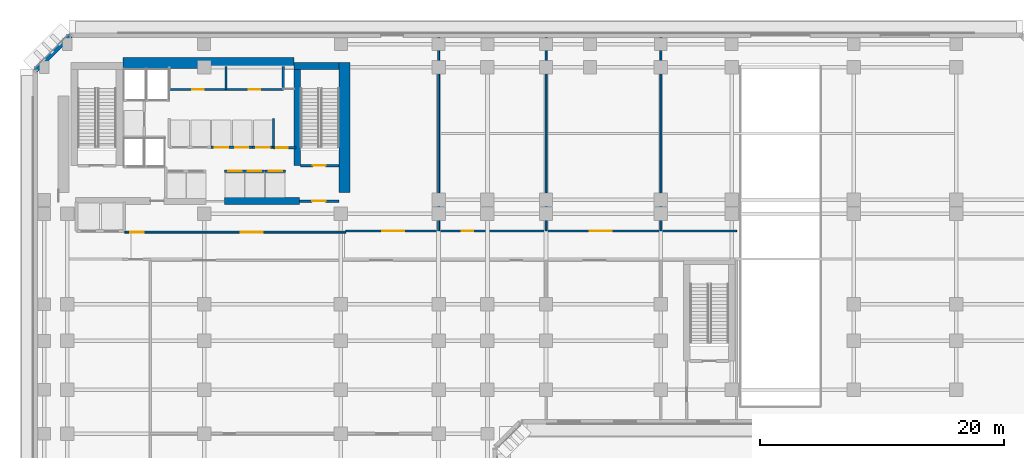
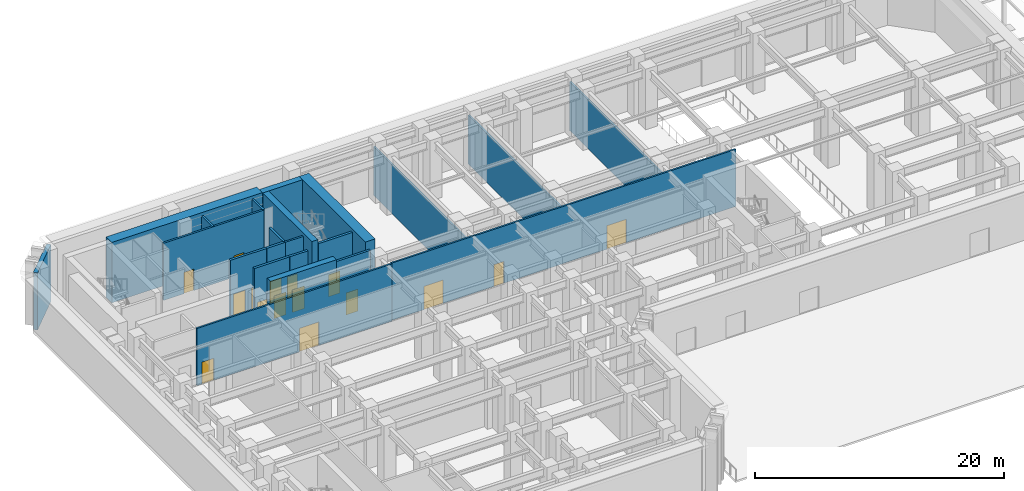
# One storey, part 9 of 18: 22 walls, 16 doors, 16 openings.
"""IFC4 building model written with IfcOpenShell, lengths in metres."""

from ifc_helpers import new_model, si_unit, direction, frame, frame_2d, origin, place, context, subcontext, project, spatial, rectangle, extrude, material, layer, layer_set, type_object, element, fill, save


model = new_model("IFC4")

# Units and contexts
model_context = context("Model", 3, precision=1e-05, world=origin(), true_north=direction((0.0, 1.0)))
body_context = subcontext(model_context, "Body", "Model", "MODEL_VIEW")
ifc_project = project(units=[si_unit("LENGTHUNIT", "METRE"), si_unit("AREAUNIT", "SQUARE_METRE"), si_unit("VOLUMEUNIT", "CUBIC_METRE"), si_unit("PLANEANGLEUNIT", "RADIAN"), si_unit("MASSUNIT", "GRAM", prefix="KILO")], contexts=[model_context])

# Site, building, storey
site_placement = place(None, origin())
site = spatial("IfcSite", under=ifc_project, at=site_placement, CompositionType="ELEMENT")
building_placement = place(site_placement, origin())
building = spatial("IfcBuilding", under=site, at=building_placement, Name="Kefirva Bronze Tower", CompositionType="ELEMENT")
storey_placement = place(building_placement, origin())
storey = spatial("IfcBuildingStorey", under=building, at=storey_placement, Name="L00", CompositionType="ELEMENT", Elevation=0.0)

# Wall, opening, door
ifc_material_1 = material(Name="Gypsum fireboard shaftwall")
ifc_layer_1 = layer(ifc_material_1, 0.219970703125, Name="Gypsum fireboard shaftwall")
ifc_layer_set_1 = layer_set([ifc_layer_1], Name="Gypsum fireboard shaftwall")
wall_type_1 = type_object("IfcWallType", Name="Fire-Rated Shaft Enclosure Wall 220mm", PredefinedType="PARTITIONING", material=ifc_layer_set_1)
wall_1_placement = place(storey_placement, frame((19.89990234375, 37.14990234375, 0.0), z_axis=(0.0, 0.0, 1.0), x_axis=(1.0, 0.0, 0.0)))
wall_1 = element("IfcWall", 1, at=wall_1_placement, inside=storey, type_object=wall_type_1, Name="L00 Partition W-L00-ST2S", PredefinedType="PARTITIONING", context=body_context, shape_type="SweptSolid", body=[
    extrude(rectangle(XDim=3.150146484375, YDim=0.219970703125, at=frame_2d((1.5751953125, 0.0))), origin(), (0.0, 0.0, 1.0), 5.6201171875),
])
opening_1_placement = place(wall_1_placement, frame((2.050048828125, 0.0, 0.0), z_axis=(0.0, 0.0, 1.0), x_axis=(-1.0, 0.0, 0.0)))
opening_1 = element("IfcOpeningElement", 2, at=opening_1_placement, cuts=wall_1, Name="Opening L00-D003", PredefinedType="OPENING", context=body_context, shape_type="SweptSolid", body=[
    extrude(rectangle(XDim=1.050048828125, YDim=2.14990234375, at=frame_2d((0.52490234375, 1.074951171875))), frame((0.0, 0.1201171875, 0.0), z_axis=(0.0, -1.0, 0.0), x_axis=(1.0, 0.0, 0.0)), (0.0, 0.0, 1.0), 0.239990234375),
])
ifc_material_2 = material(Name="Painted galvanized steel", Category="steel")
door_type_1 = type_object("IfcDoorType", Name="Fire Stair Enclosure Door 1050x2150 FD90S", OperationType="NOTDEFINED", PredefinedType="DOOR", material=ifc_material_2)
door_1_placement = place(opening_1_placement, origin())
door_1 = element("IfcDoor", 3, at=door_1_placement, inside=storey, type_object=door_type_1, Name="Door L00-D003", OperationType="SINGLE_SWING_RIGHT", OverallHeight=2.14990234375, OverallWidth=1.050048828125, PredefinedType="DOOR", context=body_context, shape_type="SweptSolid", body=[
    extrude(rectangle(XDim=1.050048828125, YDim=2.14990234375, at=frame_2d((0.52490234375, 1.074951171875))), frame((0.0, 0.02490234375, 0.0), z_axis=(0.0, -1.0, 0.0), x_axis=(1.0, 0.0, 0.0)), (0.0, 0.0, 1.0), 0.050048828125),
])
fill(opening_1, door_1)

# Wall
wall_2_placement = place(storey_placement, frame((17.679931640625, 38.64990234375, 0.0), z_axis=(0.0, 0.0, 1.0), x_axis=(0.0, 1.0, 0.0)))
element("IfcWall", 4, at=wall_2_placement, inside=storey, type_object=wall_type_1, Name="L00 Partition W-L00-HP2E", PredefinedType="PARTITIONING", context=body_context, shape_type="SweptSolid", body=[
    extrude(rectangle(XDim=2.35009765625, YDim=0.199951171875, at=frame_2d((1.175048828125, 0.0))), origin(), (0.0, 0.0, 1.0), 5.6201171875),
])

# Wall, openings, doors
wall_3_placement = place(storey_placement, frame((13.679931640625, 36.699951171875, 0.0), z_axis=(0.0, 0.0, 1.0), x_axis=(1.0, 0.0, 0.0)))
wall_3 = element("IfcWall", 5, at=wall_3_placement, inside=storey, type_object=wall_type_1, Name="L00 Partition W-L00-MPS", PredefinedType="PARTITIONING", context=body_context, shape_type="SweptSolid", body=[
    extrude(rectangle(XDim=3.280029296875, YDim=0.219970703125, at=frame_2d((1.64013671875, 0.0))), origin(), (0.0, 0.0, 1.0), 5.6201171875),
])
opening_2_placement = place(wall_3_placement, frame((0.280029296875, 0.0, 0.0)))
opening_2 = element("IfcOpeningElement", 6, at=opening_2_placement, cuts=wall_3, Name="Opening L00-LD-MP1", PredefinedType="OPENING", context=body_context, shape_type="SweptSolid", body=[
    extrude(rectangle(XDim=1.10009765625, YDim=2.199951171875, at=frame_2d((0.550048828125, 1.10009765625))), frame((0.0, 0.1201171875, 0.0), z_axis=(0.0, -1.0, 0.0), x_axis=(1.0, 0.0, 0.0)), (0.0, 0.0, 1.0), 0.239990234375),
])
opening_3_placement = place(wall_3_placement, frame((1.89990234375, 0.0, 0.0)))
opening_3 = element("IfcOpeningElement", 7, at=opening_3_placement, cuts=wall_3, Name="Opening L00-LD-MP2", PredefinedType="OPENING", context=body_context, shape_type="SweptSolid", body=[
    extrude(rectangle(XDim=1.10009765625, YDim=2.199951171875, at=frame_2d((0.550048828125, 1.10009765625))), frame((0.0, 0.1201171875, 0.0), z_axis=(0.0, -1.0, 0.0), x_axis=(1.0, 0.0, 0.0)), (0.0, 0.0, 1.0), 0.239990234375),
])
ifc_material_3 = material(Name="Stainless steel 316", Category="steel")
door_type_2 = type_object("IfcDoorType", Name="Passenger Lift Sliding Landing Door 1100x2200", OperationType="SLIDING_TO_LEFT", PredefinedType="DOOR", material=ifc_material_3)
door_2_placement = place(opening_2_placement, origin())
door_2 = element("IfcDoor", 8, at=door_2_placement, inside=storey, type_object=door_type_2, Name="Door L00-LD-MP1", OperationType="SLIDING_TO_RIGHT", OverallHeight=2.199951171875, OverallWidth=1.10009765625, PredefinedType="DOOR", context=body_context, shape_type="SweptSolid", body=[
    extrude(rectangle(XDim=1.10009765625, YDim=2.199951171875, at=frame_2d((0.550048828125, 1.10009765625))), frame((0.0, 0.02490234375, 0.0), z_axis=(0.0, -1.0, 0.0), x_axis=(1.0, 0.0, 0.0)), (0.0, 0.0, 1.0), 0.050048828125),
])
fill(opening_2, door_2)
door_3_placement = place(opening_3_placement, origin())
door_3 = element("IfcDoor", 9, at=door_3_placement, inside=storey, type_object=door_type_2, Name="Door L00-LD-MP2", OperationType="SLIDING_TO_RIGHT", OverallHeight=2.199951171875, OverallWidth=1.10009765625, PredefinedType="DOOR", context=body_context, shape_type="SweptSolid", body=[
    extrude(rectangle(XDim=1.10009765625, YDim=2.199951171875, at=frame_2d((0.550048828125, 1.10009765625))), frame((0.0, 0.02490234375, 0.0), z_axis=(0.0, -1.0, 0.0), x_axis=(1.0, 0.0, 0.0)), (0.0, 0.0, 1.0), 0.050048828125),
])
fill(opening_3, door_3)

wall_4_placement = place(storey_placement, frame((12.580078125, 38.64990234375, 0.0), z_axis=(0.0, 0.0, 1.0), x_axis=(1.0, 0.0, 0.0)))
wall_4 = element("IfcWall", 10, at=wall_4_placement, inside=storey, type_object=wall_type_1, Name="L00 Partition W-L00-MPN", PredefinedType="PARTITIONING", context=body_context, shape_type="SweptSolid", body=[
    extrude(rectangle(XDim=3.3798828125, YDim=0.219970703125, at=frame_2d((1.68994140625, 0.0))), origin(), (0.0, 0.0, 1.0), 5.6201171875),
])
opening_4_placement = place(wall_4_placement, frame((0.300048828125, 0.0, 0.0)))
opening_4 = element("IfcOpeningElement", 11, at=opening_4_placement, cuts=wall_4, Name="Opening L00-LD-MP3", PredefinedType="OPENING", context=body_context, shape_type="SweptSolid", body=[
    extrude(rectangle(XDim=1.10009765625, YDim=2.199951171875, at=frame_2d((0.550048828125, 1.10009765625))), frame((0.0, 0.1201171875, 0.0), z_axis=(0.0, -1.0, 0.0), x_axis=(1.0, 0.0, 0.0)), (0.0, 0.0, 1.0), 0.239990234375),
])
opening_5_placement = place(wall_4_placement, frame((1.949951171875, 0.0, 0.0)))
opening_5 = element("IfcOpeningElement", 12, at=opening_5_placement, cuts=wall_4, Name="Opening L00-LD-MP4", PredefinedType="OPENING", context=body_context, shape_type="SweptSolid", body=[
    extrude(rectangle(XDim=1.10009765625, YDim=2.199951171875, at=frame_2d((0.550048828125, 1.10009765625))), frame((0.0, 0.1201171875, 0.0), z_axis=(0.0, -1.0, 0.0), x_axis=(1.0, 0.0, 0.0)), (0.0, 0.0, 1.0), 0.239990234375),
])
door_4_placement = place(opening_4_placement, origin())
door_4 = element("IfcDoor", 13, at=door_4_placement, inside=storey, type_object=door_type_2, Name="Door L00-LD-MP3", OperationType="SLIDING_TO_RIGHT", OverallHeight=2.199951171875, OverallWidth=1.10009765625, PredefinedType="DOOR", context=body_context, shape_type="SweptSolid", body=[
    extrude(rectangle(XDim=1.10009765625, YDim=2.199951171875, at=frame_2d((0.550048828125, 1.10009765625))), frame((0.0, 0.02490234375, 0.0), z_axis=(0.0, -1.0, 0.0), x_axis=(1.0, 0.0, 0.0)), (0.0, 0.0, 1.0), 0.050048828125),
])
fill(opening_4, door_4)
door_5_placement = place(opening_5_placement, origin())
door_5 = element("IfcDoor", 14, at=door_5_placement, inside=storey, type_object=door_type_2, Name="Door L00-LD-MP4", OperationType="SLIDING_TO_RIGHT", OverallHeight=2.199951171875, OverallWidth=1.10009765625, PredefinedType="DOOR", context=body_context, shape_type="SweptSolid", body=[
    extrude(rectangle(XDim=1.10009765625, YDim=2.199951171875, at=frame_2d((0.550048828125, 1.10009765625))), frame((0.0, 0.02490234375, 0.0), z_axis=(0.0, -1.0, 0.0), x_axis=(1.0, 0.0, 0.0)), (0.0, 0.0, 1.0), 0.050048828125),
])
fill(opening_5, door_5)

# Wall, opening, door
wall_5_placement = place(storey_placement, frame((16.97998046875, 36.699951171875, 0.0), z_axis=(0.0, 0.0, 1.0), x_axis=(1.0, 0.0, 0.0)))
wall_5 = element("IfcWall", 15, at=wall_5_placement, inside=storey, type_object=wall_type_1, Name="L00 Partition W-L00-HPS", PredefinedType="PARTITIONING", context=body_context, shape_type="SweptSolid", body=[
    extrude(rectangle(XDim=1.699951171875, YDim=0.219970703125, at=frame_2d((0.85009765625, 0.0))), origin(), (0.0, 0.0, 1.0), 5.6201171875),
])
opening_6_placement = place(wall_5_placement, frame((0.300048828125, 0.0, 0.0)))
opening_6 = element("IfcOpeningElement", 16, at=opening_6_placement, cuts=wall_5, Name="Opening L00-LD-HP1", PredefinedType="OPENING", context=body_context, shape_type="SweptSolid", body=[
    extrude(rectangle(XDim=1.10009765625, YDim=2.199951171875, at=frame_2d((0.550048828125, 1.10009765625))), frame((0.0, 0.1201171875, 0.0), z_axis=(0.0, -1.0, 0.0), x_axis=(1.0, 0.0, 0.0)), (0.0, 0.0, 1.0), 0.239990234375),
])
door_6_placement = place(opening_6_placement, origin())
door_6 = element("IfcDoor", 17, at=door_6_placement, inside=storey, type_object=door_type_2, Name="Door L00-LD-HP1", OperationType="SLIDING_TO_LEFT", OverallHeight=2.199951171875, OverallWidth=1.10009765625, PredefinedType="DOOR", context=body_context, shape_type="SweptSolid", body=[
    extrude(rectangle(XDim=1.10009765625, YDim=2.199951171875, at=frame_2d((0.550048828125, 1.10009765625))), frame((0.0, 0.02490234375, 0.0), z_axis=(0.0, -1.0, 0.0), x_axis=(1.0, 0.0, 0.0)), (0.0, 0.0, 1.0), 0.050048828125),
])
fill(opening_6, door_6)

wall_6_placement = place(storey_placement, frame((15.97998046875, 38.64990234375, 0.0), z_axis=(0.0, 0.0, 1.0), x_axis=(1.0, 0.0, 0.0)))
wall_6 = element("IfcWall", 18, at=wall_6_placement, inside=storey, type_object=wall_type_1, Name="L00 Partition W-L00-HPN", PredefinedType="PARTITIONING", context=body_context, shape_type="SweptSolid", body=[
    extrude(rectangle(XDim=1.719970703125, YDim=0.219970703125, at=frame_2d((0.85986328125, 0.0))), origin(), (0.0, 0.0, 1.0), 5.6201171875),
])
opening_7_placement = place(wall_6_placement, frame((0.300048828125, 0.0, 0.0)))
opening_7 = element("IfcOpeningElement", 19, at=opening_7_placement, cuts=wall_6, Name="Opening L00-LD-HP2", PredefinedType="OPENING", context=body_context, shape_type="SweptSolid", body=[
    extrude(rectangle(XDim=1.10009765625, YDim=2.199951171875, at=frame_2d((0.550048828125, 1.10009765625))), frame((0.0, 0.1201171875, 0.0), z_axis=(0.0, -1.0, 0.0), x_axis=(1.0, 0.0, 0.0)), (0.0, 0.0, 1.0), 0.239990234375),
])
door_7_placement = place(opening_7_placement, origin())
door_7 = element("IfcDoor", 20, at=door_7_placement, inside=storey, type_object=door_type_2, Name="Door L00-LD-HP2", OperationType="SLIDING_TO_LEFT", OverallHeight=2.199951171875, OverallWidth=1.10009765625, PredefinedType="DOOR", context=body_context, shape_type="SweptSolid", body=[
    extrude(rectangle(XDim=1.10009765625, YDim=2.199951171875, at=frame_2d((0.550048828125, 1.10009765625))), frame((0.0, 0.02490234375, 0.0), z_axis=(0.0, -1.0, 0.0), x_axis=(1.0, 0.0, 0.0)), (0.0, 0.0, 1.0), 0.050048828125),
])
fill(opening_7, door_7)

ifc_material_4 = material(Name="Gypsum fireboard barrier")
ifc_layer_2 = layer(ifc_material_4, 0.199951171875, Name="Gypsum fireboard barrier")
ifc_layer_set_2 = layer_set([ifc_layer_2], Name="Gypsum fireboard barrier")
wall_type_2 = type_object("IfcWallType", Name="Firefighting Lobby Barrier Wall 200mm", PredefinedType="PARTITIONING", material=ifc_layer_set_2)
wall_7_placement = place(storey_placement, frame((19.800048828125, 34.25, 0.0), z_axis=(0.0, 0.0, 1.0), x_axis=(1.0, 0.0, 0.0)))
wall_7 = element("IfcWall", 21, at=wall_7_placement, inside=storey, type_object=wall_type_2, Name="L00 Partition W-L00-ST2F", PredefinedType="PARTITIONING", context=body_context, shape_type="SweptSolid", body=[
    extrude(rectangle(XDim=3.25, YDim=0.199951171875, at=frame_2d((1.625, 0.0))), origin(), (0.0, 0.0, 1.0), 5.6201171875),
])
opening_8_placement = place(wall_7_placement, frame((2.150146484375, 0.0, 0.0), z_axis=(0.0, 0.0, 1.0), x_axis=(-1.0, 0.0, 0.0)))
opening_8 = element("IfcOpeningElement", 22, at=opening_8_placement, cuts=wall_7, Name="Opening L00-D004", PredefinedType="OPENING", context=body_context, shape_type="SweptSolid", body=[
    extrude(rectangle(XDim=1.10009765625, YDim=2.14990234375, at=frame_2d((0.550048828125, 1.074951171875))), frame((0.0, 0.10986328125, 0.0), z_axis=(0.0, -1.0, 0.0), x_axis=(1.0, 0.0, 0.0)), (0.0, 0.0, 1.0), 0.219970703125),
])
door_type_3 = type_object("IfcDoorType", Name="Firefighting Lobby Smoke Door 1100x2150 FD60S", OperationType="NOTDEFINED", PredefinedType="DOOR", material=ifc_material_2)
door_8_placement = place(opening_8_placement, origin())
door_8 = element("IfcDoor", 23, at=door_8_placement, inside=storey, type_object=door_type_3, Name="Door L00-D004", OperationType="SINGLE_SWING_LEFT", OverallHeight=2.14990234375, OverallWidth=1.10009765625, PredefinedType="DOOR", context=body_context, shape_type="SweptSolid", body=[
    extrude(rectangle(XDim=1.10009765625, YDim=2.14990234375, at=frame_2d((0.550048828125, 1.074951171875))), frame((0.0, 0.02490234375, 0.0), z_axis=(0.0, -1.0, 0.0), x_axis=(1.0, 0.0, 0.0)), (0.0, 0.0, 1.0), 0.050048828125),
])
fill(opening_8, door_8)

wall_8_placement = place(storey_placement, frame((17.679931640625, 38.6201171875, 0.0), z_axis=(0.0, 0.0, 1.0), x_axis=(1.0, 0.0, 0.0)))
wall_8 = element("IfcWall", 24, at=wall_8_placement, inside=storey, type_object=wall_type_2, Name="L00 Partition W-L00-CPASS", PredefinedType="PARTITIONING", context=body_context, shape_type="SweptSolid", body=[
    extrude(rectangle(XDim=1.840087890625, YDim=0.179931640625, at=frame_2d((0.919921875, 0.0))), origin(), (0.0, 0.0, 1.0), 5.6201171875),
])
opening_9_placement = place(wall_8_placement, frame((0.239990234375, 0.0, 0.0)))
opening_9 = element("IfcOpeningElement", 25, at=opening_9_placement, cuts=wall_8, Name="Opening L00-D-CPAS", PredefinedType="OPENING", context=body_context, shape_type="SweptSolid", body=[
    extrude(rectangle(XDim=0.919921875, YDim=2.10009765625, at=frame_2d((0.4599609375, 1.050048828125))), frame((0.0, 0.10009765625, 0.0), z_axis=(0.0, -1.0, 0.0), x_axis=(1.0, 0.0, 0.0)), (0.0, 0.0, 1.0), 0.199951171875),
])
ifc_material_5 = material(Name="Moisture-resistant timber", Category="wood")
door_type_4 = type_object("IfcDoorType", Name="Accessible Sanitary & WC Door 920x2100", OperationType="NOTDEFINED", PredefinedType="DOOR", material=ifc_material_5)
door_9_placement = place(opening_9_placement, origin())
door_9 = element("IfcDoor", 26, at=door_9_placement, inside=storey, type_object=door_type_4, Name="Door L00-D-CPAS", OperationType="SINGLE_SWING_RIGHT", OverallHeight=2.10009765625, OverallWidth=0.919921875, PredefinedType="DOOR", context=body_context, shape_type="SweptSolid", body=[
    extrude(rectangle(XDim=0.919921875, YDim=2.10009765625, at=frame_2d((0.4599609375, 1.050048828125))), frame((0.0, 0.02490234375, 0.0), z_axis=(0.0, -1.0, 0.0), x_axis=(1.0, 0.0, 0.0)), (0.0, 0.0, 1.0), 0.050048828125),
])
fill(opening_9, door_9)

# Wall, openings, doors
wall_9_placement = place(storey_placement, frame((5.5, 31.699951171875, 0.0), z_axis=(0.0, 0.0, 1.0), x_axis=(1.0, 0.0, 0.0)))
wall_9 = element("IfcWall", 27, at=wall_9_placement, inside=storey, type_object=wall_type_2, Name="L00 Partition W-L00-CVESTS", PredefinedType="PARTITIONING", context=body_context, shape_type="SweptSolid", body=[
    extrude(rectangle(XDim=18.10009765625, YDim=0.159912109375, at=frame_2d((9.050048828125, 0.0))), origin(), (0.0, 0.0, 1.0), 5.6201171875),
])
opening_10_placement = place(wall_9_placement, frame((0.449951171875, 0.0, 0.0)))
opening_10 = element("IfcOpeningElement", 28, at=opening_10_placement, cuts=wall_9, Name="Opening L00-D-CVESTS", PredefinedType="OPENING", context=body_context, shape_type="SweptSolid", body=[
    extrude(rectangle(XDim=1.10009765625, YDim=2.14990234375, at=frame_2d((0.550048828125, 1.074951171875))), frame((0.0, 0.08984375, 0.0), z_axis=(0.0, -1.0, 0.0), x_axis=(1.0, 0.0, 0.0)), (0.0, 0.0, 1.0), 0.179931640625),
])
opening_11_placement = place(wall_9_placement, frame((9.5, 0.0, 0.0)))
opening_11 = element("IfcOpeningElement", 29, at=opening_11_placement, cuts=wall_9, Name="Opening L00-D-CVESTE", PredefinedType="OPENING", context=body_context, shape_type="SweptSolid", body=[
    extrude(rectangle(XDim=1.800048828125, YDim=2.300048828125, at=frame_2d((0.89990234375, 1.14990234375))), frame((0.0, 0.08984375, 0.0), z_axis=(0.0, -1.0, 0.0), x_axis=(1.0, 0.0, 0.0)), (0.0, 0.0, 1.0), 0.179931640625),
])
ifc_material_6 = material(Name="Acoustic hardwood oak", Category="wood")
door_type_5 = type_object("IfcDoorType", Name="Auditorium & Dining Double Door 1800x2300", OperationType="DOUBLE_DOOR_SINGLE_SWING", PredefinedType="DOOR", material=ifc_material_6)
door_10_placement = place(opening_11_placement, origin())
door_10 = element("IfcDoor", 30, at=door_10_placement, inside=storey, type_object=door_type_5, Name="Door L00-D-CVESTE", OperationType="SINGLE_SWING_LEFT", OverallHeight=2.300048828125, OverallWidth=1.800048828125, PredefinedType="DOOR", context=body_context, shape_type="SweptSolid", body=[
    extrude(rectangle(XDim=1.800048828125, YDim=2.300048828125, at=frame_2d((0.89990234375, 1.14990234375))), frame((0.0, 0.02490234375, 0.0), z_axis=(0.0, -1.0, 0.0), x_axis=(1.0, 0.0, 0.0)), (0.0, 0.0, 1.0), 0.050048828125),
])
fill(opening_11, door_10)
door_11_placement = place(opening_10_placement, origin())
door_11 = element("IfcDoor", 31, at=door_11_placement, inside=storey, type_object=door_type_3, Name="Door L00-D-CVESTS", OperationType="SINGLE_SWING_RIGHT", OverallHeight=2.14990234375, OverallWidth=1.10009765625, PredefinedType="DOOR", context=body_context, shape_type="SweptSolid", body=[
    extrude(rectangle(XDim=1.10009765625, YDim=2.14990234375, at=frame_2d((0.550048828125, 1.074951171875))), frame((0.0, 0.02490234375, 0.0), z_axis=(0.0, -1.0, 0.0), x_axis=(1.0, 0.0, 0.0)), (0.0, 0.0, 1.0), 0.050048828125),
])
fill(opening_10, door_11)

# Wall
ifc_material_7 = material(Name="Precast concrete C40/50", Category="concrete")
ifc_layer_3 = layer(ifc_material_7, 0.360107421875, Name="Precast concrete C40/50")
ifc_layer_set_3 = layer_set([ifc_layer_3], Name="Precast concrete C40/50")
wall_type_3 = type_object("IfcWallType", Name="Precast Podium Facade Wall 360mm", PredefinedType="SOLIDWALL", material=ifc_layer_set_3)
wall_10_placement = place(storey_placement, frame((1.08837890625, 47.833740234375, 0.0), z_axis=(0.0, 0.0, 1.0), x_axis=(-0.707106781187, -0.707106781187, 0.0)))
element("IfcWall", 32, at=wall_10_placement, inside=storey, type_object=wall_type_3, Name="L00 Exterior Facade Wall 10", PredefinedType="SOLIDWALL", context=body_context, shape_type="SweptSolid", body=[
    extrude(rectangle(XDim=4.132568359375, YDim=0.360107421875, at=frame_2d((2.06640625, 0.0))), origin(), (0.0, 0.0, 1.0), 5.6201171875),
])

# Wall, openings, doors
ifc_material_8 = material(Name="Gypsum acoustic partition")
ifc_layer_4 = layer(ifc_material_8, 0.159912109375, Name="Gypsum acoustic partition")
ifc_layer_set_4 = layer_set([ifc_layer_4], Name="Gypsum acoustic partition")
wall_type_4 = type_object("IfcWallType", Name="Protected Corridor Partition 160mm", PredefinedType="PARTITIONING", material=ifc_layer_set_4)
wall_11_placement = place(storey_placement, frame((23.60009765625, 31.800048828125, 0.0), z_axis=(0.0, 0.0, 1.0), x_axis=(1.0, 0.0, 0.0)))
wall_11 = element("IfcWall", 33, at=wall_11_placement, inside=storey, type_object=wall_type_4, Name="L00 Partition W-L00-BNK", PredefinedType="PARTITIONING", context=body_context, shape_type="SweptSolid", body=[
    extrude(rectangle(XDim=32.0, YDim=0.159912109375, at=frame_2d((16.0, 0.0))), origin(), (0.0, 0.0, 1.0), 5.6201171875),
])
opening_12_placement = place(wall_11_placement, frame((3.0, 0.0, 0.0)))
opening_12 = element("IfcOpeningElement", 34, at=opening_12_placement, cuts=wall_11, Name="Opening L00-D-BNK", PredefinedType="OPENING", context=body_context, shape_type="SweptSolid", body=[
    extrude(rectangle(XDim=1.800048828125, YDim=2.300048828125, at=frame_2d((0.89990234375, 1.14990234375))), frame((0.0, 0.08984375, 0.0), z_axis=(0.0, -1.0, 0.0), x_axis=(1.0, 0.0, 0.0)), (0.0, 0.0, 1.0), 0.179931640625),
])
opening_13_placement = place(wall_11_placement, frame((9.5, 0.0, 0.0)))
opening_13 = element("IfcOpeningElement", 35, at=opening_13_placement, cuts=wall_11, Name="Opening L00-D-BNK2", PredefinedType="OPENING", context=body_context, shape_type="SweptSolid", body=[
    extrude(rectangle(XDim=0.949951171875, YDim=2.14990234375, at=frame_2d((0.47509765625, 1.074951171875))), frame((0.0, 0.08984375, 0.0), z_axis=(0.0, -1.0, 0.0), x_axis=(1.0, 0.0, 0.0)), (0.0, 0.0, 1.0), 0.179931640625),
])
opening_14_placement = place(wall_11_placement, frame((20.0, 0.0, 0.0)))
opening_14 = element("IfcOpeningElement", 36, at=opening_14_placement, cuts=wall_11, Name="Opening L00-D-TLOB", PredefinedType="OPENING", context=body_context, shape_type="SweptSolid", body=[
    extrude(rectangle(XDim=1.800048828125, YDim=2.300048828125, at=frame_2d((0.89990234375, 1.14990234375))), frame((0.0, 0.08984375, 0.0), z_axis=(0.0, -1.0, 0.0), x_axis=(1.0, 0.0, 0.0)), (0.0, 0.0, 1.0), 0.179931640625),
])
door_12_placement = place(opening_12_placement, origin())
door_12 = element("IfcDoor", 37, at=door_12_placement, inside=storey, type_object=door_type_5, Name="Door L00-D-BNK", OperationType="SINGLE_SWING_LEFT", OverallHeight=2.300048828125, OverallWidth=1.800048828125, PredefinedType="DOOR", context=body_context, shape_type="SweptSolid", body=[
    extrude(rectangle(XDim=1.800048828125, YDim=2.300048828125, at=frame_2d((0.89990234375, 1.14990234375))), frame((0.0, 0.02490234375, 0.0), z_axis=(0.0, -1.0, 0.0), x_axis=(1.0, 0.0, 0.0)), (0.0, 0.0, 1.0), 0.050048828125),
])
fill(opening_12, door_12)
door_13_placement = place(opening_14_placement, origin())
door_13 = element("IfcDoor", 38, at=door_13_placement, inside=storey, type_object=door_type_5, Name="Door L00-D-TLOB", OperationType="SINGLE_SWING_LEFT", OverallHeight=2.300048828125, OverallWidth=1.800048828125, PredefinedType="DOOR", context=body_context, shape_type="SweptSolid", body=[
    extrude(rectangle(XDim=1.800048828125, YDim=2.300048828125, at=frame_2d((0.89990234375, 1.14990234375))), frame((0.0, 0.02490234375, 0.0), z_axis=(0.0, -1.0, 0.0), x_axis=(1.0, 0.0, 0.0)), (0.0, 0.0, 1.0), 0.050048828125),
])
fill(opening_14, door_13)
door_type_6 = type_object("IfcDoorType", Name="Office & Meeting Room Door 950x2150", OperationType="NOTDEFINED", PredefinedType="DOOR", material=ifc_material_6)
door_14_placement = place(opening_13_placement, origin())
door_14 = element("IfcDoor", 39, at=door_14_placement, inside=storey, type_object=door_type_6, Name="Door L00-D-BNK2", OperationType="SINGLE_SWING_RIGHT", OverallHeight=2.14990234375, OverallWidth=0.949951171875, PredefinedType="DOOR", context=body_context, shape_type="SweptSolid", body=[
    extrude(rectangle(XDim=0.949951171875, YDim=2.14990234375, at=frame_2d((0.47509765625, 1.074951171875))), frame((0.0, 0.02490234375, 0.0), z_axis=(0.0, -1.0, 0.0), x_axis=(1.0, 0.0, 0.0)), (0.0, 0.0, 1.0), 0.050048828125),
])
fill(opening_13, door_14)

# Walls
for number, where, z_axis, x_axis, name in (
    (40, (31.199951171875, 31.800048828125, 0.0), (0.0, 0.0, 1.0), (0.0, 1.0, 0.0), "L00 Partition W-L00-BNKD1"),
    (41, (40.0, 31.800048828125, 0.0), (0.0, 0.0, 1.0), (0.0, 1.0, 0.0), "L00 Partition W-L00-BNKD2"),
    (42, (49.39990234375, 31.800048828125, 0.0), (0.0, 0.0, 1.0), (0.0, 1.0, 0.0), "L00 Partition W-L00-BNKD3"),
):
    element("IfcWall", number, at=place(storey_placement, frame(where, z_axis=z_axis, x_axis=x_axis)), inside=storey, type_object=wall_type_4, Name=name, PredefinedType="PARTITIONING", context=body_context, shape_type="SweptSolid", body=[
        extrude(rectangle(XDim=15.83984375, YDim=0.159912109375, at=frame_2d((7.919921875, 0.0))), origin(), (0.0, 0.0, 1.0), 4.804931640625),
    ])
ifc_material_9 = material(Name="Concrete C50/60", Category="concrete")
ifc_layer_5 = layer(ifc_material_9, 0.550048828125, Name="Concrete C50/60")
ifc_layer_set_5 = layer_set([ifc_layer_5], Name="Concrete C50/60")
wall_type_5 = type_object("IfcWallType", Name="RC Rear Core Interior Wall 550mm", PredefinedType="SHEAR", material=ifc_layer_set_5)
wall_12_placement = place(storey_placement, frame((19.6201171875, 37.14990234375, 0.0), z_axis=(0.0, 0.0, 1.0), x_axis=(0.0, 1.0, 0.0)))
element("IfcWall", 43, at=wall_12_placement, inside=storey, type_object=wall_type_5, Name="L00 Stair 2 West Shear Wall", PredefinedType="SHEAR", context=body_context, shape_type="SweptSolid", body=[
    extrude(rectangle(XDim=7.89013671875, YDim=0.550048828125, at=frame_2d((3.945068359375, 0.0))), origin(), (0.0, 0.0, 1.0), 5.93994140625),
])
wall_13_placement = place(storey_placement, frame((19.35009765625, 45.320068359375, 0.0), z_axis=(0.0, 0.0, 1.0), x_axis=(1.0, 0.0, 0.0)))
element("IfcWall", 44, at=wall_13_placement, inside=storey, type_object=wall_type_5, Name="L00 Stair 2 North Shear Wall", PredefinedType="SHEAR", context=body_context, shape_type="SweptSolid", body=[
    extrude(rectangle(XDim=3.68994140625, YDim=0.550048828125, at=frame_2d((1.844970703125, 0.0))), origin(), (0.0, 0.0, 1.0), 5.93994140625),
])
ifc_material_10 = material(Name="Concrete C60/75", Category="concrete")
ifc_layer_6 = layer(ifc_material_10, 0.89990234375, Name="Concrete C60/75")
ifc_layer_set_6 = layer_set([ifc_layer_6], Name="Concrete C60/75")
wall_type_6 = type_object("IfcWallType", Name="RC Rear Core Interior Wall 900mm", PredefinedType="SHEAR", material=ifc_layer_set_6)
wall_14_placement = place(storey_placement, frame((5.360107421875, 45.550048828125, 0.0), z_axis=(0.0, 0.0, 1.0), x_axis=(1.0, 0.0, 0.0)))
element("IfcWall", 45, at=wall_14_placement, inside=storey, type_object=wall_type_6, Name="L00 Rear Core North Shear Wall", PredefinedType="SHEAR", context=body_context, shape_type="SweptSolid", body=[
    extrude(rectangle(XDim=13.97998046875, YDim=0.89990234375, at=frame_2d((6.989990234375, 0.0))), origin(), (0.0, 0.0, 1.0), 5.93994140625),
])
wall_15_placement = place(storey_placement, frame((23.5, 34.949951171875, 0.0), z_axis=(0.0, 0.0, 1.0), x_axis=(0.0, 1.0, 0.0)))
element("IfcWall", 46, at=wall_15_placement, inside=storey, type_object=wall_type_6, Name="L00 Rear Core East Shear Wall", PredefinedType="SHEAR", context=body_context, shape_type="SweptSolid", body=[
    extrude(rectangle(XDim=10.64013671875, YDim=0.89990234375, at=frame_2d((5.320068359375, 0.0))), origin(), (0.0, 0.0, 1.0), 5.93994140625),
])
wall_16_placement = place(storey_placement, frame((13.679931640625, 34.25, 0.0), z_axis=(0.0, 0.0, 1.0), x_axis=(1.0, 0.0, 0.0)))
element("IfcWall", 47, at=wall_16_placement, inside=storey, type_object=wall_type_6, Name="L00 Rear Core South-East Shear Wall", PredefinedType="SHEAR", context=body_context, shape_type="SweptSolid", body=[
    extrude(rectangle(XDim=6.1201171875, YDim=0.550048828125, at=frame_2d((3.06005859375, 0.0))), origin(), (0.0, 0.0, 1.0), 5.93994140625),
])

# Wall, openings, doors
ifc_material_11 = material(Name="Moisture-resistant partition")
ifc_layer_7 = layer(ifc_material_11, 0.179931640625, Name="Moisture-resistant partition")
ifc_layer_set_7 = layer_set([ifc_layer_7], Name="Moisture-resistant partition")
wall_type_7 = type_object("IfcWallType", Name="Sanitary Plumbing Chase Wall 180mm", PredefinedType="PLUMBINGWALL", material=ifc_layer_set_7)
wall_17_placement = place(storey_placement, frame((9.14990234375, 43.39990234375, 0.0), z_axis=(0.0, 0.0, 1.0), x_axis=(1.0, 0.0, 0.0)))
wall_17 = element("IfcWall", 48, at=wall_17_placement, inside=storey, type_object=wall_type_7, Name="L00 Partition W-L00-SVCS", PredefinedType="PLUMBINGWALL", context=body_context, shape_type="SweptSolid", body=[
    extrude(rectangle(XDim=9.330078125, YDim=0.179931640625, at=frame_2d((4.6650390625, 0.0))), origin(), (0.0, 0.0, 1.0), 5.6201171875),
])
opening_15_placement = place(wall_17_placement, frame((1.8798828125, 0.0, 0.0)))
opening_15 = element("IfcOpeningElement", 49, at=opening_15_placement, cuts=wall_17, Name="Opening L00-D-CSVC1", PredefinedType="OPENING", context=body_context, shape_type="SweptSolid", body=[
    extrude(rectangle(XDim=0.919921875, YDim=2.10009765625, at=frame_2d((0.4599609375, 1.050048828125))), frame((0.0, 0.10009765625, 0.0), z_axis=(0.0, -1.0, 0.0), x_axis=(1.0, 0.0, 0.0)), (0.0, 0.0, 1.0), 0.199951171875),
])
opening_16_placement = place(wall_17_placement, frame((6.514892578125, 0.0, 0.0)))
opening_16 = element("IfcOpeningElement", 50, at=opening_16_placement, cuts=wall_17, Name="Opening L00-D-CSVC2", PredefinedType="OPENING", context=body_context, shape_type="SweptSolid", body=[
    extrude(rectangle(XDim=0.919921875, YDim=2.10009765625, at=frame_2d((0.4599609375, 1.050048828125))), frame((0.0, 0.10009765625, 0.0), z_axis=(0.0, -1.0, 0.0), x_axis=(1.0, 0.0, 0.0)), (0.0, 0.0, 1.0), 0.199951171875),
])
door_15_placement = place(opening_15_placement, origin())
door_15 = element("IfcDoor", 51, at=door_15_placement, inside=storey, type_object=door_type_4, Name="Door L00-D-CSVC1", OperationType="SINGLE_SWING_LEFT", OverallHeight=2.10009765625, OverallWidth=0.919921875, PredefinedType="DOOR", context=body_context, shape_type="SweptSolid", body=[
    extrude(rectangle(XDim=0.919921875, YDim=2.10009765625, at=frame_2d((0.4599609375, 1.050048828125))), frame((0.0, 0.02490234375, 0.0), z_axis=(0.0, -1.0, 0.0), x_axis=(1.0, 0.0, 0.0)), (0.0, 0.0, 1.0), 0.050048828125),
])
fill(opening_15, door_15)
door_16_placement = place(opening_16_placement, origin())
door_16 = element("IfcDoor", 52, at=door_16_placement, inside=storey, type_object=door_type_4, Name="Door L00-D-CSVC2", OperationType="SINGLE_SWING_RIGHT", OverallHeight=2.10009765625, OverallWidth=0.919921875, PredefinedType="DOOR", context=body_context, shape_type="SweptSolid", body=[
    extrude(rectangle(XDim=0.919921875, YDim=2.10009765625, at=frame_2d((0.4599609375, 1.050048828125))), frame((0.0, 0.02490234375, 0.0), z_axis=(0.0, -1.0, 0.0), x_axis=(1.0, 0.0, 0.0)), (0.0, 0.0, 1.0), 0.050048828125),
])
fill(opening_16, door_16)

# Walls
for number, where, z_axis, x_axis, name in (
    (53, (18.47998046875, 43.39990234375, 0.0), (0.0, 0.0, 1.0), (0.0, 1.0, 0.0), "L00 Partition W-L00-SVCE"),
    (54, (13.800048828125, 43.39990234375, 0.0), (0.0, 0.0, 1.0), (0.0, 1.0, 0.0), "L00 Partition W-L00-CSVD-1"),
):
    element("IfcWall", number, at=place(storey_placement, frame(where, z_axis=z_axis, x_axis=x_axis)), inside=storey, type_object=wall_type_7, Name=name, PredefinedType="PLUMBINGWALL", context=body_context, shape_type="SweptSolid", body=[
        extrude(rectangle(XDim=1.880126953125, YDim=0.179931640625, at=frame_2d((0.93994140625, 0.0))), origin(), (0.0, 0.0, 1.0), 5.6201171875),
    ])

save(model, "model.ifc")
